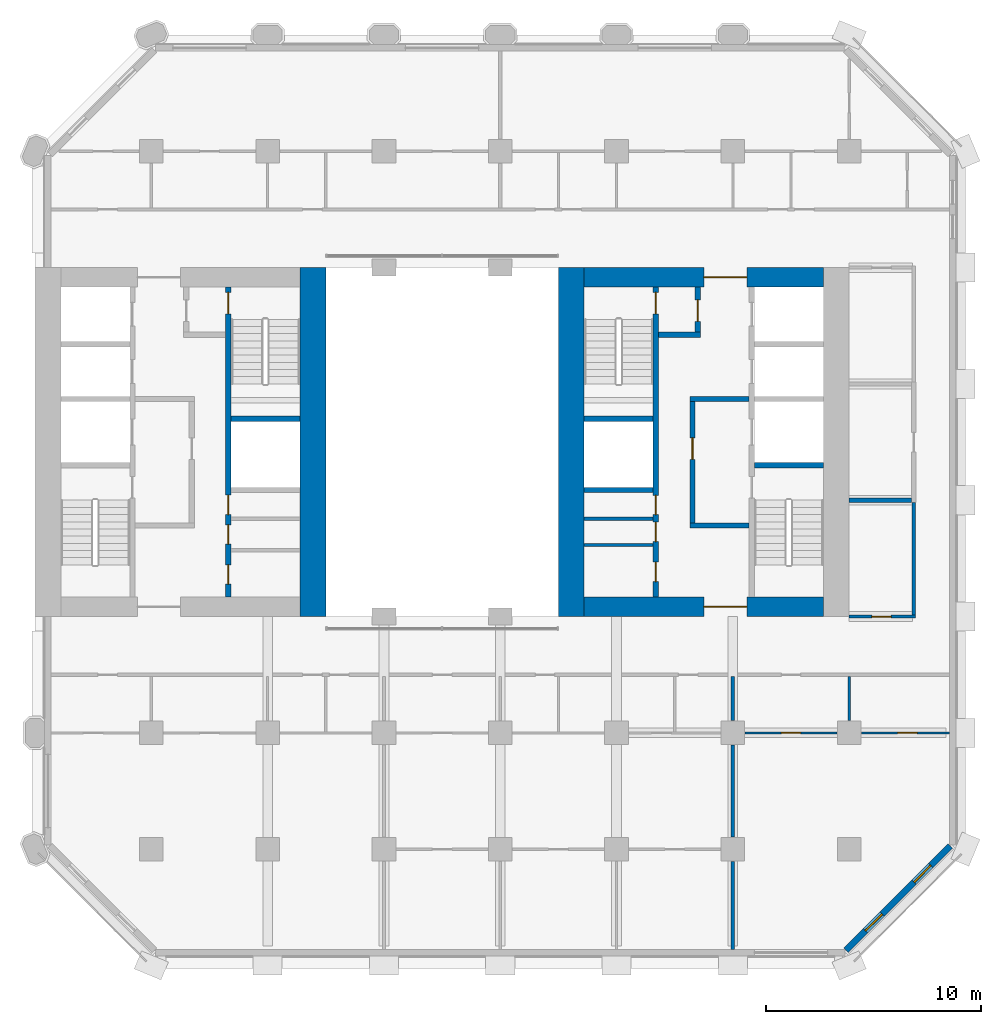
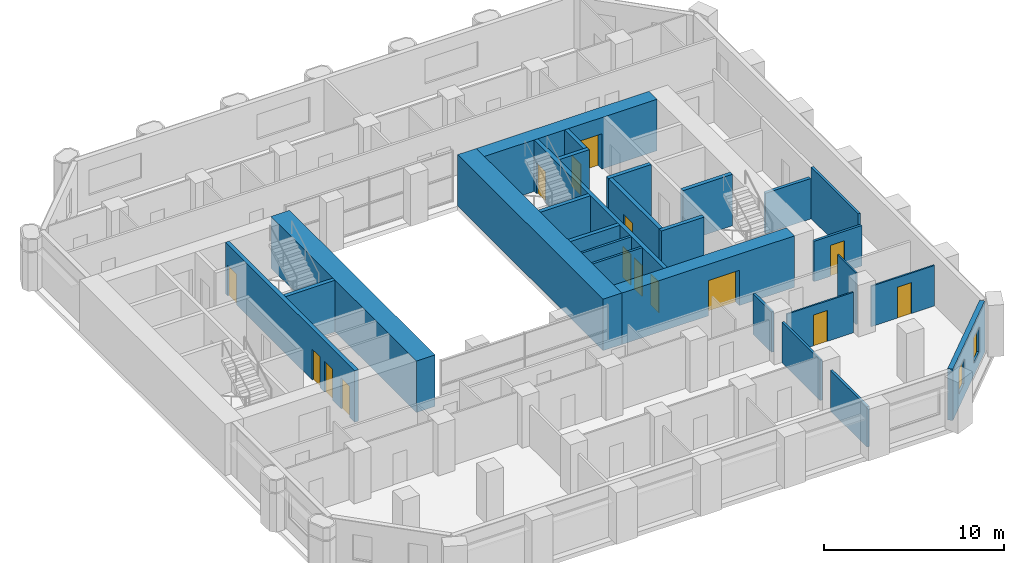
# One storey, part 9 of 13: 27 walls, 15 doors, 2 windows, 17 openings.
"""IFC4 building model written with IfcOpenShell, lengths in metres."""

from ifc_helpers import new_model, si_unit, direction, frame, frame_2d, origin, place, context, subcontext, project, spatial, rectangle, extrude, material, layer, layer_set, type_object, element, fill, save


model = new_model("IFC4")

# Units and contexts
model_context = context("Model", 3, precision=1e-05, world=origin(), true_north=direction((0.0, 1.0)))
body_context = subcontext(model_context, "Body", "Model", "MODEL_VIEW")
ifc_project = project(units=[si_unit("LENGTHUNIT", "METRE"), si_unit("AREAUNIT", "SQUARE_METRE"), si_unit("VOLUMEUNIT", "CUBIC_METRE"), si_unit("PLANEANGLEUNIT", "RADIAN"), si_unit("MASSUNIT", "GRAM", prefix="KILO")], contexts=[model_context])

# Site, building, storey
site_placement = place(None, origin())
site = spatial("IfcSite", under=ifc_project, at=site_placement, CompositionType="ELEMENT")
building_placement = place(site_placement, origin())
building = spatial("IfcBuilding", under=site, at=building_placement, Name="Tabaq Tower and Sports Hall", CompositionType="ELEMENT")
storey_placement = place(building_placement, frame((0.0, 0.0, 37.39990234375)))
storey = spatial("IfcBuildingStorey", under=building, at=storey_placement, Name="L07", CompositionType="ELEMENT", Elevation=37.39990234375)

# Walls
ifc_material_1 = material(Name="Blockwork", Category="masonry")
ifc_layer_1 = layer(ifc_material_1, 0.14990234375)
ifc_layer_set_1 = layer_set([ifc_layer_1], Name="Core room partition 150 Blockwork")
wall_type_1 = type_object("IfcWallType", Name="Core room partition 150 Blockwork", PredefinedType="PARTITIONING", material=ifc_layer_set_1)
for number, where, z_axis, x_axis, name in (
    (1, (30.89990234375, 19.52490234375, 0.0), (0.0, 0.0, 1.0), (1.0, 0.0, 0.0), "Core room partition E L07"),
    (2, (30.89990234375, 20.737060546875, 0.0), (0.0, 0.0, 1.0), (1.0, 0.0, 0.0), "Core room partition E L07"),
):
    element("IfcWall", number, at=place(storey_placement, frame(where, z_axis=z_axis, x_axis=x_axis)), inside=storey, type_object=wall_type_1, Name=name, PredefinedType="PARTITIONING", context=body_context, shape_type="SweptSolid", body=[
        extrude(rectangle(XDim=3.2001953125, YDim=0.14990234375, at=frame_2d((1.60009765625, 0.0))), origin(), (0.0, 0.0, 1.0), 3.5),
    ])
ifc_material_2 = material(Name="Concrete C60/75", Category="concrete")
ifc_layer_2 = layer(ifc_material_2, 1.199951171875)
ifc_layer_set_2 = layer_set([ifc_layer_2], Name="Core wall 1200 Concrete C60/75")
wall_type_2 = type_object("IfcWallType", Name="Core wall 1200 Concrete C60/75", PredefinedType="SOLIDWALL", material=ifc_layer_set_2)
for number, where, z_axis, x_axis, name in (
    (3, (18.300048828125, 32.39990234375, 0.0), (0.0, 0.0, 1.0), (0.0, -1.0, 0.0), "Core wall W L07"),
    (4, (30.300048828125, 16.199951171875, 0.0), (0.0, 0.0, 1.0), (0.0, 1.0, 0.0), "Core wall E L07"),
):
    element("IfcWall", number, at=place(storey_placement, frame(where, z_axis=z_axis, x_axis=x_axis)), inside=storey, type_object=wall_type_2, Name=name, PredefinedType="SOLIDWALL", context=body_context, shape_type="SweptSolid", body=[
        extrude(rectangle(XDim=16.199951171875, YDim=1.199951171875, at=frame_2d((8.10009765625, 0.0))), origin(), (0.0, 0.0, 1.0), 3.5),
    ])

# Wall, opening, door
ifc_material_3 = material(Name="Concrete C60/75", Category="concrete")
ifc_layer_3 = layer(ifc_material_3, 0.89990234375)
ifc_layer_set_3 = layer_set([ifc_layer_3], Name="Core wall 900 Concrete C60/75")
wall_type_3 = type_object("IfcWallType", Name="Core wall 900 Concrete C60/75", PredefinedType="SOLIDWALL", material=ifc_layer_set_3)
wall_1_placement = place(storey_placement, frame((42.0, 16.64990234375, 0.0), z_axis=(0.0, 0.0, 1.0), x_axis=(-1.0, 0.0, 0.0)))
wall_1 = element("IfcWall", 5, at=wall_1_placement, inside=storey, type_object=wall_type_3, Name="Core wall E L07", PredefinedType="SOLIDWALL", context=body_context, shape_type="SweptSolid", body=[
    extrude(rectangle(XDim=11.10009765625, YDim=0.89990234375, at=frame_2d((5.550048828125, 0.0))), origin(), (0.0, 0.0, 1.0), 3.5),
])
opening_1_placement = place(wall_1_placement, frame((3.550048828125, 0.0, 0.0)))
opening_1 = element("IfcOpeningElement", 6, at=opening_1_placement, cuts=wall_1, Name="Opening PD-EL07-01", PredefinedType="OPENING", context=body_context, shape_type="SweptSolid", body=[
    extrude(rectangle(XDim=2.0, YDim=2.39990234375, at=frame_2d((1.0, 1.199951171875))), frame((0.0, 0.449951171875, 0.0), z_axis=(0.0, -1.0, 0.0), x_axis=(1.0, 0.0, 0.0)), (0.0, 0.0, 1.0), 0.89990234375),
])
ifc_material_4 = material(Name="Steel fire door", Category="steel")
door_type_1 = type_object("IfcDoorType", Name="Core entrance door 2000", OperationType="DOUBLE_DOOR_SINGLE_SWING", PredefinedType="DOOR", material=ifc_material_4)
door_1_placement = place(opening_1_placement, origin())
door_1 = element("IfcDoor", 7, at=door_1_placement, inside=storey, type_object=door_type_1, Name="Core entrance south E L07", OperationType="DOUBLE_DOOR_SINGLE_SWING", OverallHeight=2.39990234375, OverallWidth=2.0, PredefinedType="DOOR", context=body_context, shape_type="SweptSolid", body=[
    extrude(rectangle(XDim=2.0, YDim=2.39990234375, at=frame_2d((1.0, 1.199951171875))), frame((0.0, 0.02490234375, 0.0), z_axis=(0.0, -1.0, 0.0), x_axis=(1.0, 0.0, 0.0)), (0.0, 0.0, 1.0), 0.050048828125),
])
fill(opening_1, door_1)

wall_2_placement = place(storey_placement, frame((30.89990234375, 31.949951171875, 0.0), z_axis=(0.0, 0.0, 1.0), x_axis=(1.0, 0.0, 0.0)))
wall_2 = element("IfcWall", 8, at=wall_2_placement, inside=storey, type_object=wall_type_3, Name="Core wall E L07", PredefinedType="SOLIDWALL", context=body_context, shape_type="SweptSolid", body=[
    extrude(rectangle(XDim=11.10009765625, YDim=0.89990234375, at=frame_2d((5.550048828125, 0.0))), origin(), (0.0, 0.0, 1.0), 3.5),
])
opening_2_placement = place(wall_2_placement, frame((5.550048828125, 0.0, 0.0)))
opening_2 = element("IfcOpeningElement", 9, at=opening_2_placement, cuts=wall_2, Name="Opening PD-EL07-02", PredefinedType="OPENING", context=body_context, shape_type="SweptSolid", body=[
    extrude(rectangle(XDim=2.0, YDim=2.39990234375, at=frame_2d((1.0, 1.199951171875))), frame((0.0, 0.449951171875, 0.0), z_axis=(0.0, -1.0, 0.0), x_axis=(1.0, 0.0, 0.0)), (0.0, 0.0, 1.0), 0.89990234375),
])
door_2_placement = place(opening_2_placement, origin())
door_2 = element("IfcDoor", 10, at=door_2_placement, inside=storey, type_object=door_type_1, Name="Core entrance north E L07", OperationType="DOUBLE_DOOR_SINGLE_SWING", OverallHeight=2.39990234375, OverallWidth=2.0, PredefinedType="DOOR", context=body_context, shape_type="SweptSolid", body=[
    extrude(rectangle(XDim=2.0, YDim=2.39990234375, at=frame_2d((1.0, 1.199951171875))), frame((0.0, 0.02490234375, 0.0), z_axis=(0.0, -1.0, 0.0), x_axis=(1.0, 0.0, 0.0)), (0.0, 0.0, 1.0), 0.050048828125),
])
fill(opening_2, door_2)

# Wall
ifc_material_5 = material(Name="Blockwork", Category="masonry")
ifc_layer_4 = layer(ifc_material_5, 0.199951171875)
ifc_layer_set_4 = layer_set([ifc_layer_4], Name="Fire compartment wall 200 Blockwork")
wall_type_4 = type_object("IfcWallType", Name="Fire compartment wall 200 Blockwork", PredefinedType="PARTITIONING", material=ifc_layer_set_4)
wall_3_placement = place(storey_placement, frame((46.10009765625, 21.60009765625, 0.0), z_axis=(0.0, 0.0, 1.0), x_axis=(-1.0, 0.0, 0.0)))
element("IfcWall", 11, at=wall_3_placement, inside=storey, type_object=wall_type_4, Name="Compartment wall L07", PredefinedType="PARTITIONING", context=body_context, shape_type="SweptSolid", body=[
    extrude(rectangle(XDim=2.900146484375, YDim=0.199951171875, at=frame_2d((1.4501953125, 0.0))), origin(), (0.0, 0.0, 1.0), 2.75),
])

# Wall, opening, door
ifc_material_6 = material(Name="Gypsum board on steel studs", Category="steel")
ifc_layer_5 = layer(ifc_material_6, 0.10009765625)
ifc_layer_set_5 = layer_set([ifc_layer_5], Name="Partition 100 Gypsum board")
wall_type_5 = type_object("IfcWallType", Name="Partition 100 Gypsum board", PredefinedType="PARTITIONING", material=ifc_layer_set_5)
wall_4_placement = place(storey_placement, frame((38.3701171875, 10.800048828125, 0.0), z_axis=(0.0, 0.0, 1.0), x_axis=(1.0, 0.0, 0.0)))
wall_4 = element("IfcWall", 12, at=wall_4_placement, inside=storey, type_object=wall_type_5, Name="Partition wall L07", PredefinedType="PARTITIONING", context=body_context, shape_type="SweptSolid", body=[
    extrude(rectangle(XDim=4.259765625, YDim=0.10009765625, at=frame_2d((2.1298828125, 0.0))), origin(), (0.0, 0.0, 1.0), 2.75),
])
opening_3_placement = place(wall_4_placement, frame((1.679931640625, 0.0, 0.0)))
opening_3 = element("IfcOpeningElement", 13, at=opening_3_placement, cuts=wall_4, Name="Opening L07-030", PredefinedType="OPENING", context=body_context, shape_type="SweptSolid", body=[
    extrude(rectangle(XDim=0.89990234375, YDim=2.10009765625, at=frame_2d((0.449951171875, 1.050048828125))), frame((0.0, 0.050048828125, 0.0), z_axis=(0.0, -1.0, 0.0), x_axis=(1.0, 0.0, 0.0)), (0.0, 0.0, 1.0), 0.10009765625),
])
ifc_material_7 = material(Name="Timber leaf in steel frame", Category="steel")
door_type_2 = type_object("IfcDoorType", Name="Internal door 900 left hand", OperationType="SINGLE_SWING_LEFT", PredefinedType="DOOR", material=ifc_material_7)
door_3_placement = place(opening_3_placement, origin())
door_3 = element("IfcDoor", 14, at=door_3_placement, inside=storey, type_object=door_type_2, Name="Internal door L07-030", OperationType="SINGLE_SWING_LEFT", OverallHeight=2.10009765625, OverallWidth=0.89990234375, PredefinedType="DOOR", context=body_context, shape_type="SweptSolid", body=[
    extrude(rectangle(XDim=0.89990234375, YDim=2.10009765625, at=frame_2d((0.449951171875, 1.050048828125))), frame((0.0, 0.02490234375, 0.0), z_axis=(0.0, -1.0, 0.0), x_axis=(1.0, 0.0, 0.0)), (0.0, 0.0, 1.0), 0.050048828125),
])
fill(opening_3, door_3)

# Wall
wall_5_placement = place(storey_placement, frame((43.199951171875, 11.3701171875, 0.0), z_axis=(0.0, 0.0, 1.0), x_axis=(0.0, 1.0, 0.0)))
element("IfcWall", 15, at=wall_5_placement, inside=storey, type_object=wall_type_5, Name="Partition wall L07", PredefinedType="PARTITIONING", context=body_context, shape_type="SweptSolid", body=[
    extrude(rectangle(XDim=2.054931640625, YDim=0.10009765625, at=frame_2d((1.02734375, 0.0))), origin(), (0.0, 0.0, 1.0), 3.5),
])

# Wall, opening, door
wall_6_placement = place(storey_placement, frame((47.84912109375, 10.800048828125, 0.0), z_axis=(0.0, 0.0, 1.0), x_axis=(-1.0, 0.0, 0.0)))
wall_6 = element("IfcWall", 16, at=wall_6_placement, inside=storey, type_object=wall_type_5, Name="Partition wall L07", PredefinedType="PARTITIONING", context=body_context, shape_type="SweptSolid", body=[
    extrude(rectangle(XDim=4.0791015625, YDim=0.10009765625, at=frame_2d((2.03955078125, 0.0))), origin(), (0.0, 0.0, 1.0), 2.75),
])
opening_4_placement = place(wall_6_placement, frame((1.4990234375, 0.0, 0.0)))
opening_4 = element("IfcOpeningElement", 17, at=opening_4_placement, cuts=wall_6, Name="Opening L07-022", PredefinedType="OPENING", context=body_context, shape_type="SweptSolid", body=[
    extrude(rectangle(XDim=0.89990234375, YDim=2.10009765625, at=frame_2d((0.449951171875, 1.050048828125))), frame((0.0, 0.050048828125, 0.0), z_axis=(0.0, -1.0, 0.0), x_axis=(1.0, 0.0, 0.0)), (0.0, 0.0, 1.0), 0.10009765625),
])
ifc_material_8 = material(Name="Timber leaf in steel frame", Category="steel")
door_type_3 = type_object("IfcDoorType", Name="Internal door 900 right hand", OperationType="SINGLE_SWING_RIGHT", PredefinedType="DOOR", material=ifc_material_8)
door_4_placement = place(opening_4_placement, origin())
door_4 = element("IfcDoor", 18, at=door_4_placement, inside=storey, type_object=door_type_3, Name="Internal door L07-022", OperationType="SINGLE_SWING_RIGHT", OverallHeight=2.10009765625, OverallWidth=0.89990234375, PredefinedType="DOOR", context=body_context, shape_type="SweptSolid", body=[
    extrude(rectangle(XDim=0.89990234375, YDim=2.10009765625, at=frame_2d((0.449951171875, 1.050048828125))), frame((0.0, 0.02490234375, 0.0), z_axis=(0.0, -1.0, 0.0), x_axis=(1.0, 0.0, 0.0)), (0.0, 0.0, 1.0), 0.050048828125),
])
fill(opening_4, door_4)

ifc_material_9 = material(Name="Blockwork", Category="masonry")
ifc_layer_6 = layer(ifc_material_9, 0.14990234375)
ifc_layer_set_6 = layer_set([ifc_layer_6], Name="Separating wall 150 Blockwork")
wall_type_6 = type_object("IfcWallType", Name="Separating wall 150 Blockwork", PredefinedType="PARTITIONING", material=ifc_layer_set_6)
wall_7_placement = place(storey_placement, frame((43.199951171875, 16.199951171875, 0.0), z_axis=(0.0, 0.0, 1.0), x_axis=(1.0, 0.0, 0.0)))
wall_7 = element("IfcWall", 19, at=wall_7_placement, inside=storey, type_object=wall_type_6, Name="Separating wall L07", PredefinedType="PARTITIONING", context=body_context, shape_type="SweptSolid", body=[
    extrude(rectangle(XDim=3.074951171875, YDim=0.14990234375, at=frame_2d((1.53759765625, 0.0))), origin(), (0.0, 0.0, 1.0), 2.75),
])
opening_5_placement = place(wall_7_placement, frame((1.050048828125, 0.0, 0.0)))
opening_5 = element("IfcOpeningElement", 20, at=opening_5_placement, cuts=wall_7, Name="Opening L07-009", PredefinedType="OPENING", context=body_context, shape_type="SweptSolid", body=[
    extrude(rectangle(XDim=0.89990234375, YDim=2.10009765625, at=frame_2d((0.449951171875, 1.050048828125))), frame((0.0, 0.074951171875, 0.0), z_axis=(0.0, -1.0, 0.0), x_axis=(1.0, 0.0, 0.0)), (0.0, 0.0, 1.0), 0.14990234375),
])
door_5_placement = place(opening_5_placement, origin())
door_5 = element("IfcDoor", 21, at=door_5_placement, inside=storey, type_object=door_type_2, Name="Internal door L07-009", OperationType="SINGLE_SWING_LEFT", OverallHeight=2.10009765625, OverallWidth=0.89990234375, PredefinedType="DOOR", context=body_context, shape_type="SweptSolid", body=[
    extrude(rectangle(XDim=0.89990234375, YDim=2.10009765625, at=frame_2d((0.449951171875, 1.050048828125))), frame((0.0, 0.02490234375, 0.0), z_axis=(0.0, -1.0, 0.0), x_axis=(1.0, 0.0, 0.0)), (0.0, 0.0, 1.0), 0.050048828125),
])
fill(opening_5, door_5)

# Walls
wall_8_placement = place(storey_placement, frame((46.199951171875, 16.27490234375, 0.0), z_axis=(0.0, 0.0, 1.0), x_axis=(0.0, 1.0, 0.0)))
element("IfcWall", 22, at=wall_8_placement, inside=storey, type_object=wall_type_6, Name="Separating wall L07", PredefinedType="PARTITIONING", context=body_context, shape_type="SweptSolid", body=[
    extrude(rectangle(XDim=5.22509765625, YDim=0.14990234375, at=frame_2d((2.612548828125, 0.0))), origin(), (0.0, 0.0, 1.0), 3.5),
])
wall_9_placement = place(storey_placement, frame((37.800048828125, 11.3701171875, 0.0), z_axis=(0.0, 0.0, 1.0), x_axis=(0.0, 1.0, 0.0)))
element("IfcWall", 23, at=wall_9_placement, inside=storey, type_object=wall_type_6, Name="Separating wall L07", PredefinedType="PARTITIONING", context=body_context, shape_type="SweptSolid", body=[
    extrude(rectangle(XDim=2.054931640625, YDim=0.14990234375, at=frame_2d((1.02734375, 0.0))), origin(), (0.0, 0.0, 1.0), 2.75),
])
wall_10_placement = place(storey_placement, frame((37.800048828125, 5.969970703125, 0.0), z_axis=(0.0, 0.0, 1.0), x_axis=(0.0, 1.0, 0.0)))
element("IfcWall", 24, at=wall_10_placement, inside=storey, type_object=wall_type_6, Name="Separating wall L07", PredefinedType="PARTITIONING", context=body_context, shape_type="SweptSolid", body=[
    extrude(rectangle(XDim=4.260009765625, YDim=0.14990234375, at=frame_2d((2.1298828125, 0.0))), origin(), (0.0, 0.0, 1.0), 2.75),
])
wall_11_placement = place(storey_placement, frame((37.800048828125, 4.830078125, 0.0), z_axis=(0.0, 0.0, 1.0), x_axis=(0.0, -1.0, 0.0)))
element("IfcWall", 25, at=wall_11_placement, inside=storey, type_object=wall_type_6, Name="Separating wall L07", PredefinedType="PARTITIONING", context=body_context, shape_type="SweptSolid", body=[
    extrude(rectangle(XDim=4.0791015625, YDim=0.14990234375, at=frame_2d((2.03955078125, 0.0))), origin(), (0.0, 0.0, 1.0), 2.75),
])

# Wall, openings, doors
ifc_material_10 = material(Name="Concrete C40/50", Category="concrete")
ifc_layer_7 = layer(ifc_material_10, 0.25)
ifc_layer_set_7 = layer_set([ifc_layer_7], Name="Shaft and stair wall 250 Concrete C40/50")
wall_type_7 = type_object("IfcWallType", Name="Shaft and stair wall 250 Concrete C40/50", PredefinedType="SOLIDWALL", material=ifc_layer_set_7)
wall_12_placement = place(storey_placement, frame((14.375, 17.10009765625, 0.0), z_axis=(0.0, 0.0, 1.0), x_axis=(0.0, 1.0, 0.0)))
wall_12 = element("IfcWall", 26, at=wall_12_placement, inside=storey, type_object=wall_type_7, Name="Shaft wall W L07", PredefinedType="SOLIDWALL", context=body_context, shape_type="SweptSolid", body=[
    extrude(rectangle(XDim=14.39990234375, YDim=0.25, at=frame_2d((7.199951171875, 0.0))), origin(), (0.0, 0.0, 1.0), 3.5),
])
opening_6_placement = place(wall_12_placement, frame((13.14990234375, 0.0, 0.0)))
opening_6 = element("IfcOpeningElement", 27, at=opening_6_placement, cuts=wall_12, Name="Opening SD-WL07-05", PredefinedType="OPENING", context=body_context, shape_type="SweptSolid", body=[
    extrude(rectangle(XDim=1.0, YDim=2.10009765625, at=frame_2d((0.5, 1.050048828125))), frame((0.0, 0.125, 0.0), z_axis=(0.0, -1.0, 0.0), x_axis=(1.0, 0.0, 0.0)), (0.0, 0.0, 1.0), 0.25),
])
opening_7_placement = place(wall_12_placement, frame((0.60400390625, 0.0, 0.0)))
opening_7 = element("IfcOpeningElement", 28, at=opening_7_placement, cuts=wall_12, Name="Opening RD-WL07-10", PredefinedType="OPENING", context=body_context, shape_type="SweptSolid", body=[
    extrude(rectangle(XDim=0.89990234375, YDim=2.10009765625, at=frame_2d((0.449951171875, 1.050048828125))), frame((0.0, 0.125, 0.0), z_axis=(0.0, -1.0, 0.0), x_axis=(1.0, 0.0, 0.0)), (0.0, 0.0, 1.0), 0.25),
])
opening_8_placement = place(wall_12_placement, frame((2.46044921875, 0.0, 0.0)))
opening_8 = element("IfcOpeningElement", 29, at=opening_8_placement, cuts=wall_12, Name="Opening RD-WL07-11", PredefinedType="OPENING", context=body_context, shape_type="SweptSolid", body=[
    extrude(rectangle(XDim=0.89990234375, YDim=2.10009765625, at=frame_2d((0.449951171875, 1.050048828125))), frame((0.0, 0.125, 0.0), z_axis=(0.0, -1.0, 0.0), x_axis=(1.0, 0.0, 0.0)), (0.0, 0.0, 1.0), 0.25),
])
opening_9_placement = place(wall_12_placement, frame((3.83154296875, 0.0, 0.0)))
opening_9 = element("IfcOpeningElement", 30, at=opening_9_placement, cuts=wall_12, Name="Opening RD-WL07-12", PredefinedType="OPENING", context=body_context, shape_type="SweptSolid", body=[
    extrude(rectangle(XDim=0.89990234375, YDim=2.10009765625, at=frame_2d((0.449951171875, 1.050048828125))), frame((0.0, 0.125, 0.0), z_axis=(0.0, -1.0, 0.0), x_axis=(1.0, 0.0, 0.0)), (0.0, 0.0, 1.0), 0.25),
])
ifc_material_11 = material(Name="Steel fire door", Category="steel")
door_type_4 = type_object("IfcDoorType", Name="Core room door 900", OperationType="SINGLE_SWING_LEFT", PredefinedType="DOOR", material=ifc_material_11)
door_6_placement = place(opening_7_placement, origin())
door_6 = element("IfcDoor", 31, at=door_6_placement, inside=storey, type_object=door_type_4, Name="Door Unisex WC W L07", OperationType="SINGLE_SWING_LEFT", OverallHeight=2.10009765625, OverallWidth=0.89990234375, PredefinedType="DOOR", context=body_context, shape_type="SweptSolid", body=[
    extrude(rectangle(XDim=0.89990234375, YDim=2.10009765625, at=frame_2d((0.449951171875, 1.050048828125))), frame((0.0, 0.02490234375, 0.0), z_axis=(0.0, -1.0, 0.0), x_axis=(1.0, 0.0, 0.0)), (0.0, 0.0, 1.0), 0.050048828125),
])
fill(opening_7, door_6)
door_7_placement = place(opening_8_placement, origin())
door_7 = element("IfcDoor", 32, at=door_7_placement, inside=storey, type_object=door_type_4, Name="Door Accessible WC W L07", OperationType="SINGLE_SWING_LEFT", OverallHeight=2.10009765625, OverallWidth=0.89990234375, PredefinedType="DOOR", context=body_context, shape_type="SweptSolid", body=[
    extrude(rectangle(XDim=0.89990234375, YDim=2.10009765625, at=frame_2d((0.449951171875, 1.050048828125))), frame((0.0, 0.02490234375, 0.0), z_axis=(0.0, -1.0, 0.0), x_axis=(1.0, 0.0, 0.0)), (0.0, 0.0, 1.0), 0.050048828125),
])
fill(opening_8, door_7)
door_8_placement = place(opening_9_placement, origin())
door_8 = element("IfcDoor", 33, at=door_8_placement, inside=storey, type_object=door_type_4, Name="Door Electrical Riser Room W L07", OperationType="SINGLE_SWING_LEFT", OverallHeight=2.10009765625, OverallWidth=0.89990234375, PredefinedType="DOOR", context=body_context, shape_type="SweptSolid", body=[
    extrude(rectangle(XDim=0.89990234375, YDim=2.10009765625, at=frame_2d((0.449951171875, 1.050048828125))), frame((0.0, 0.02490234375, 0.0), z_axis=(0.0, -1.0, 0.0), x_axis=(1.0, 0.0, 0.0)), (0.0, 0.0, 1.0), 0.050048828125),
])
fill(opening_9, door_8)
ifc_material_12 = material(Name="Steel fire door", Category="steel")
door_type_5 = type_object("IfcDoorType", Name="Stair door 1000", OperationType="SINGLE_SWING_LEFT", PredefinedType="DOOR", material=ifc_material_12)
door_9_placement = place(opening_6_placement, origin())
door_9 = element("IfcDoor", 34, at=door_9_placement, inside=storey, type_object=door_type_5, Name="Stair door ST2 W L07", OperationType="SINGLE_SWING_LEFT", OverallHeight=2.10009765625, OverallWidth=1.0, PredefinedType="DOOR", context=body_context, shape_type="SweptSolid", body=[
    extrude(rectangle(XDim=1.0, YDim=2.10009765625, at=frame_2d((0.5, 1.050048828125))), frame((0.0, 0.02490234375, 0.0), z_axis=(0.0, -1.0, 0.0), x_axis=(1.0, 0.0, 0.0)), (0.0, 0.0, 1.0), 0.050048828125),
])
fill(opening_6, door_9)

# Wall
wall_13_placement = place(storey_placement, frame((14.5, 25.375, 0.0), z_axis=(0.0, 0.0, 1.0), x_axis=(1.0, 0.0, 0.0)))
element("IfcWall", 35, at=wall_13_placement, inside=storey, type_object=wall_type_7, Name="Stair enclosure wall W L07", PredefinedType="SOLIDWALL", context=body_context, shape_type="SweptSolid", body=[
    extrude(rectangle(XDim=3.199951171875, YDim=0.25, at=frame_2d((1.60009765625, 0.0))), origin(), (0.0, 0.0, 1.0), 3.5),
])

# Wall, openings, doors
wall_14_placement = place(storey_placement, frame((34.22509765625, 17.10009765625, 0.0), z_axis=(0.0, 0.0, 1.0), x_axis=(0.0, 1.0, 0.0)))
wall_14 = element("IfcWall", 36, at=wall_14_placement, inside=storey, type_object=wall_type_7, Name="Shaft wall E L07", PredefinedType="SOLIDWALL", context=body_context, shape_type="SweptSolid", body=[
    extrude(rectangle(XDim=14.39990234375, YDim=0.25, at=frame_2d((7.199951171875, 0.0))), origin(), (0.0, 0.0, 1.0), 3.5),
])
opening_10_placement = place(wall_14_placement, frame((13.14990234375, 0.0, 0.0)))
opening_10 = element("IfcOpeningElement", 37, at=opening_10_placement, cuts=wall_14, Name="Opening SD-EL07-05", PredefinedType="OPENING", context=body_context, shape_type="SweptSolid", body=[
    extrude(rectangle(XDim=1.0, YDim=2.10009765625, at=frame_2d((0.5, 1.050048828125))), frame((0.0, 0.125, 0.0), z_axis=(0.0, -1.0, 0.0), x_axis=(1.0, 0.0, 0.0)), (0.0, 0.0, 1.0), 0.25),
])
opening_11_placement = place(wall_14_placement, frame((0.72509765625, 0.0, 0.0)))
opening_11 = element("IfcOpeningElement", 38, at=opening_11_placement, cuts=wall_14, Name="Opening RD-EL07-10", PredefinedType="OPENING", context=body_context, shape_type="SweptSolid", body=[
    extrude(rectangle(XDim=0.89990234375, YDim=2.10009765625, at=frame_2d((0.449951171875, 1.050048828125))), frame((0.0, 0.125, 0.0), z_axis=(0.0, -1.0, 0.0), x_axis=(1.0, 0.0, 0.0)), (0.0, 0.0, 1.0), 0.25),
])
opening_12_placement = place(wall_14_placement, frame((2.5810546875, 0.0, 0.0)))
opening_12 = element("IfcOpeningElement", 39, at=opening_12_placement, cuts=wall_14, Name="Opening RD-EL07-11", PredefinedType="OPENING", context=body_context, shape_type="SweptSolid", body=[
    extrude(rectangle(XDim=0.89990234375, YDim=2.10009765625, at=frame_2d((0.449951171875, 1.050048828125))), frame((0.0, 0.125, 0.0), z_axis=(0.0, -1.0, 0.0), x_axis=(1.0, 0.0, 0.0)), (0.0, 0.0, 1.0), 0.25),
])
opening_13_placement = place(wall_14_placement, frame((3.8310546875, 0.0, 0.0)))
opening_13 = element("IfcOpeningElement", 40, at=opening_13_placement, cuts=wall_14, Name="Opening RD-EL07-12", PredefinedType="OPENING", context=body_context, shape_type="SweptSolid", body=[
    extrude(rectangle(XDim=0.89990234375, YDim=2.10009765625, at=frame_2d((0.449951171875, 1.050048828125))), frame((0.0, 0.125, 0.0), z_axis=(0.0, -1.0, 0.0), x_axis=(1.0, 0.0, 0.0)), (0.0, 0.0, 1.0), 0.25),
])
door_10_placement = place(opening_11_placement, origin())
door_10 = element("IfcDoor", 41, at=door_10_placement, inside=storey, type_object=door_type_4, Name="Door Unisex WC E L07", OperationType="SINGLE_SWING_LEFT", OverallHeight=2.10009765625, OverallWidth=0.89990234375, PredefinedType="DOOR", context=body_context, shape_type="SweptSolid", body=[
    extrude(rectangle(XDim=0.89990234375, YDim=2.10009765625, at=frame_2d((0.449951171875, 1.050048828125))), frame((0.0, 0.02490234375, 0.0), z_axis=(0.0, -1.0, 0.0), x_axis=(1.0, 0.0, 0.0)), (0.0, 0.0, 1.0), 0.050048828125),
])
fill(opening_11, door_10)
door_11_placement = place(opening_12_placement, origin())
door_11 = element("IfcDoor", 42, at=door_11_placement, inside=storey, type_object=door_type_4, Name="Door Cleaner's Store E L07", OperationType="SINGLE_SWING_LEFT", OverallHeight=2.10009765625, OverallWidth=0.89990234375, PredefinedType="DOOR", context=body_context, shape_type="SweptSolid", body=[
    extrude(rectangle(XDim=0.89990234375, YDim=2.10009765625, at=frame_2d((0.449951171875, 1.050048828125))), frame((0.0, 0.02490234375, 0.0), z_axis=(0.0, -1.0, 0.0), x_axis=(1.0, 0.0, 0.0)), (0.0, 0.0, 1.0), 0.050048828125),
])
fill(opening_12, door_11)
door_12_placement = place(opening_13_placement, origin())
door_12 = element("IfcDoor", 43, at=door_12_placement, inside=storey, type_object=door_type_4, Name="Door Accessible WC E L07", OperationType="SINGLE_SWING_LEFT", OverallHeight=2.10009765625, OverallWidth=0.89990234375, PredefinedType="DOOR", context=body_context, shape_type="SweptSolid", body=[
    extrude(rectangle(XDim=0.89990234375, YDim=2.10009765625, at=frame_2d((0.449951171875, 1.050048828125))), frame((0.0, 0.02490234375, 0.0), z_axis=(0.0, -1.0, 0.0), x_axis=(1.0, 0.0, 0.0)), (0.0, 0.0, 1.0), 0.050048828125),
])
fill(opening_13, door_12)
door_13_placement = place(opening_10_placement, origin())
door_13 = element("IfcDoor", 44, at=door_13_placement, inside=storey, type_object=door_type_5, Name="Stair door ST4 E L07", OperationType="SINGLE_SWING_LEFT", OverallHeight=2.10009765625, OverallWidth=1.0, PredefinedType="DOOR", context=body_context, shape_type="SweptSolid", body=[
    extrude(rectangle(XDim=1.0, YDim=2.10009765625, at=frame_2d((0.5, 1.050048828125))), frame((0.0, 0.02490234375, 0.0), z_axis=(0.0, -1.0, 0.0), x_axis=(1.0, 0.0, 0.0)), (0.0, 0.0, 1.0), 0.050048828125),
])
fill(opening_10, door_13)

# Walls
wall_15_placement = place(storey_placement, frame((38.800048828125, 23.22509765625, 0.0), z_axis=(0.0, 0.0, 1.0), x_axis=(1.0, 0.0, 0.0)))
element("IfcWall", 45, at=wall_15_placement, inside=storey, type_object=wall_type_7, Name="Stair enclosure wall E L07", PredefinedType="SOLIDWALL", context=body_context, shape_type="SweptSolid", body=[
    extrude(rectangle(XDim=3.199951171875, YDim=0.25, at=frame_2d((1.60009765625, 0.0))), origin(), (0.0, 0.0, 1.0), 3.5),
])
for number, where, z_axis, x_axis, name in (
    (46, (30.89990234375, 25.375, 0.0), (0.0, 0.0, 1.0), (1.0, 0.0, 0.0), "Stair enclosure wall E L07"),
    (47, (30.89990234375, 22.074951171875, 0.0), (0.0, 0.0, 1.0), (1.0, 0.0, 0.0), "Shaft wall E L07"),
):
    element("IfcWall", number, at=place(storey_placement, frame(where, z_axis=z_axis, x_axis=x_axis)), inside=storey, type_object=wall_type_7, Name=name, PredefinedType="SOLIDWALL", context=body_context, shape_type="SweptSolid", body=[
        extrude(rectangle(XDim=3.2001953125, YDim=0.25, at=frame_2d((1.60009765625, 0.0))), origin(), (0.0, 0.0, 1.0), 3.5),
    ])
for number, where, z_axis, x_axis, name in (
    (48, (35.800048828125, 26.300048828125, 0.0), (0.0, 0.0, 1.0), (1.0, 0.0, 0.0), "Fire-fighting lobby wall E L07"),
    (49, (35.800048828125, 20.425048828125, 0.0), (0.0, 0.0, 1.0), (1.0, 0.0, 0.0), "Fire-fighting lobby wall E L07"),
):
    element("IfcWall", number, at=place(storey_placement, frame(where, z_axis=z_axis, x_axis=x_axis)), inside=storey, type_object=wall_type_7, Name=name, PredefinedType="SOLIDWALL", context=body_context, shape_type="SweptSolid", body=[
        extrude(rectangle(XDim=2.75, YDim=0.25, at=frame_2d((1.375, 0.0))), origin(), (0.0, 0.0, 1.0), 3.5),
    ])

# Wall, opening, door
wall_16_placement = place(storey_placement, frame((36.175048828125, 29.39990234375, 0.0), z_axis=(0.0, 0.0, 1.0), x_axis=(0.0, 1.0, 0.0)))
wall_16 = element("IfcWall", 50, at=wall_16_placement, inside=storey, type_object=wall_type_7, Name="Fire-fighting lobby wall E L07", PredefinedType="SOLIDWALL", context=body_context, shape_type="SweptSolid", body=[
    extrude(rectangle(XDim=2.10009765625, YDim=0.25, at=frame_2d((1.050048828125, 0.0))), origin(), (0.0, 0.0, 1.0), 3.5),
])
opening_14_placement = place(wall_16_placement, frame((0.5, 0.0, 0.0)))
opening_14 = element("IfcOpeningElement", 51, at=opening_14_placement, cuts=wall_16, Name="Opening FD-EL07-06", PredefinedType="OPENING", context=body_context, shape_type="SweptSolid", body=[
    extrude(rectangle(XDim=1.0, YDim=2.10009765625, at=frame_2d((0.5, 1.050048828125))), frame((0.0, 0.125, 0.0), z_axis=(0.0, -1.0, 0.0), x_axis=(1.0, 0.0, 0.0)), (0.0, 0.0, 1.0), 0.25),
])
ifc_material_13 = material(Name="Steel fire door", Category="steel")
door_type_6 = type_object("IfcDoorType", Name="Fire-fighting lobby door 1000", OperationType="SINGLE_SWING_LEFT", PredefinedType="DOOR", material=ifc_material_13)
door_14_placement = place(opening_14_placement, origin())
door_14 = element("IfcDoor", 52, at=door_14_placement, inside=storey, type_object=door_type_6, Name="Stair lobby door E L07", OperationType="SINGLE_SWING_LEFT", OverallHeight=2.10009765625, OverallWidth=1.0, PredefinedType="DOOR", context=body_context, shape_type="SweptSolid", body=[
    extrude(rectangle(XDim=1.0, YDim=2.10009765625, at=frame_2d((0.5, 1.050048828125))), frame((0.0, 0.02490234375, 0.0), z_axis=(0.0, -1.0, 0.0), x_axis=(1.0, 0.0, 0.0)), (0.0, 0.0, 1.0), 0.050048828125),
])
fill(opening_14, door_14)

# Wall
wall_17_placement = place(storey_placement, frame((34.35009765625, 29.27490234375, 0.0), z_axis=(0.0, 0.0, 1.0), x_axis=(1.0, 0.0, 0.0)))
element("IfcWall", 53, at=wall_17_placement, inside=storey, type_object=wall_type_7, Name="Fire-fighting lobby wall E L07", PredefinedType="SOLIDWALL", context=body_context, shape_type="SweptSolid", body=[
    extrude(rectangle(XDim=1.949951171875, YDim=0.25, at=frame_2d((0.97509765625, 0.0))), origin(), (0.0, 0.0, 1.0), 3.5),
])

# Wall, opening, door
wall_18_placement = place(storey_placement, frame((35.925048828125, 20.550048828125, 0.0), z_axis=(0.0, 0.0, 1.0), x_axis=(0.0, 1.0, 0.0)))
wall_18 = element("IfcWall", 54, at=wall_18_placement, inside=storey, type_object=wall_type_7, Name="Fire-fighting lobby wall E L07", PredefinedType="SOLIDWALL", context=body_context, shape_type="SweptSolid", body=[
    extrude(rectangle(XDim=5.625, YDim=0.25, at=frame_2d((2.8125, 0.0))), origin(), (0.0, 0.0, 1.0), 3.5),
])
opening_15_placement = place(wall_18_placement, frame((2.949951171875, 0.0, 0.0)))
opening_15 = element("IfcOpeningElement", 55, at=opening_15_placement, cuts=wall_18, Name="Opening FD-EL07-04", PredefinedType="OPENING", context=body_context, shape_type="SweptSolid", body=[
    extrude(rectangle(XDim=1.0, YDim=2.10009765625, at=frame_2d((0.5, 1.050048828125))), frame((0.0, 0.125, 0.0), z_axis=(0.0, -1.0, 0.0), x_axis=(1.0, 0.0, 0.0)), (0.0, 0.0, 1.0), 0.25),
])
door_15_placement = place(opening_15_placement, origin())
door_15 = element("IfcDoor", 56, at=door_15_placement, inside=storey, type_object=door_type_6, Name="Fire-fighting lobby door E L07", OperationType="SINGLE_SWING_LEFT", OverallHeight=2.10009765625, OverallWidth=1.0, PredefinedType="DOOR", context=body_context, shape_type="SweptSolid", body=[
    extrude(rectangle(XDim=1.0, YDim=2.10009765625, at=frame_2d((0.5, 1.050048828125))), frame((0.0, 0.02490234375, 0.0), z_axis=(0.0, -1.0, 0.0), x_axis=(1.0, 0.0, 0.0)), (0.0, 0.0, 1.0), 0.050048828125),
])
fill(opening_15, door_15)

# Wall, openings, windows
ifc_material_14 = material(Name="White precast concrete C60/75", Category="concrete")
ifc_layer_8 = layer(ifc_material_14, 0.300048828125)
ifc_layer_set_8 = layer_set([ifc_layer_8], Name="White precast concrete C60/75 external wall 300")
wall_type_8 = type_object("IfcWallType", Name="White precast concrete C60/75 external wall 300", PredefinedType="SOLIDWALL", material=ifc_layer_set_8)
wall_19_placement = place(storey_placement, frame((43.050537109375, 0.698974609375, 0.0), z_axis=(0.0, 0.0, 1.0), x_axis=(0.707106781187, 0.707106781187, 0.0)))
wall_19 = element("IfcWall", 57, at=wall_19_placement, inside=storey, type_object=wall_type_8, Name="External Wall L07 SE", PredefinedType="SOLIDWALL", context=body_context, shape_type="SweptSolid", body=[
    extrude(rectangle(XDim=6.85986328125, YDim=0.300048828125, at=frame_2d((3.429931640625, 0.0))), origin(), (0.0, 0.0, 1.0), 3.5),
])
opening_16_placement = place(wall_19_placement, frame((1.27978515625, 0.0, 0.89990234375)))
opening_16 = element("IfcOpeningElement", 58, at=opening_16_placement, cuts=wall_19, Name="Opening W1B", PredefinedType="OPENING", context=body_context, shape_type="SweptSolid", body=[
    extrude(rectangle(XDim=1.10009765625, YDim=1.699951171875, at=frame_2d((0.550048828125, 0.85009765625))), frame((0.0, 0.16015625, 0.0), z_axis=(0.0, -1.0, 0.0), x_axis=(1.0, 0.0, 0.0)), (0.0, 0.0, 1.0), 0.320068359375),
])
opening_17_placement = place(wall_19_placement, frame((4.479736328125, 0.0, 0.89990234375)))
opening_17 = element("IfcOpeningElement", 59, at=opening_17_placement, cuts=wall_19, Name="Opening W1B", PredefinedType="OPENING", context=body_context, shape_type="SweptSolid", body=[
    extrude(rectangle(XDim=1.10009765625, YDim=1.699951171875, at=frame_2d((0.550048828125, 0.85009765625))), frame((0.0, 0.16015625, 0.0), z_axis=(0.0, -1.0, 0.0), x_axis=(1.0, 0.0, 0.0)), (0.0, 0.0, 1.0), 0.320068359375),
])
ifc_material_15 = material(Name="Aluminium framed clear glazing", Category="aluminium")
window_type = type_object("IfcWindowType", Name="Window W1B", PartitioningType="SINGLE_PANEL", PredefinedType="WINDOW", material=ifc_material_15)
window_1_placement = place(opening_16_placement, origin())
window_1 = element("IfcWindow", 60, at=window_1_placement, inside=storey, type_object=window_type, Name="Window W1B L07", OverallHeight=1.699951171875, OverallWidth=1.10009765625, PartitioningType="SINGLE_PANEL", PredefinedType="WINDOW", context=body_context, shape_type="SweptSolid", body=[
    extrude(rectangle(XDim=1.10009765625, YDim=1.699951171875, at=frame_2d((0.550048828125, 0.85009765625))), frame((0.0, 0.030029296875, 0.0), z_axis=(0.0, -1.0, 0.0), x_axis=(1.0, 0.0, 0.0)), (0.0, 0.0, 1.0), 0.06005859375),
])
fill(opening_16, window_1)
window_2_placement = place(opening_17_placement, origin())
window_2 = element("IfcWindow", 61, at=window_2_placement, inside=storey, type_object=window_type, Name="Window W1B L07", OverallHeight=1.699951171875, OverallWidth=1.10009765625, PartitioningType="SINGLE_PANEL", PredefinedType="WINDOW", context=body_context, shape_type="SweptSolid", body=[
    extrude(rectangle(XDim=1.10009765625, YDim=1.699951171875, at=frame_2d((0.550048828125, 0.85009765625))), frame((0.0, 0.030029296875, 0.0), z_axis=(0.0, -1.0, 0.0), x_axis=(1.0, 0.0, 0.0)), (0.0, 0.0, 1.0), 0.06005859375),
])
fill(opening_17, window_2)

save(model, "model.ifc")
